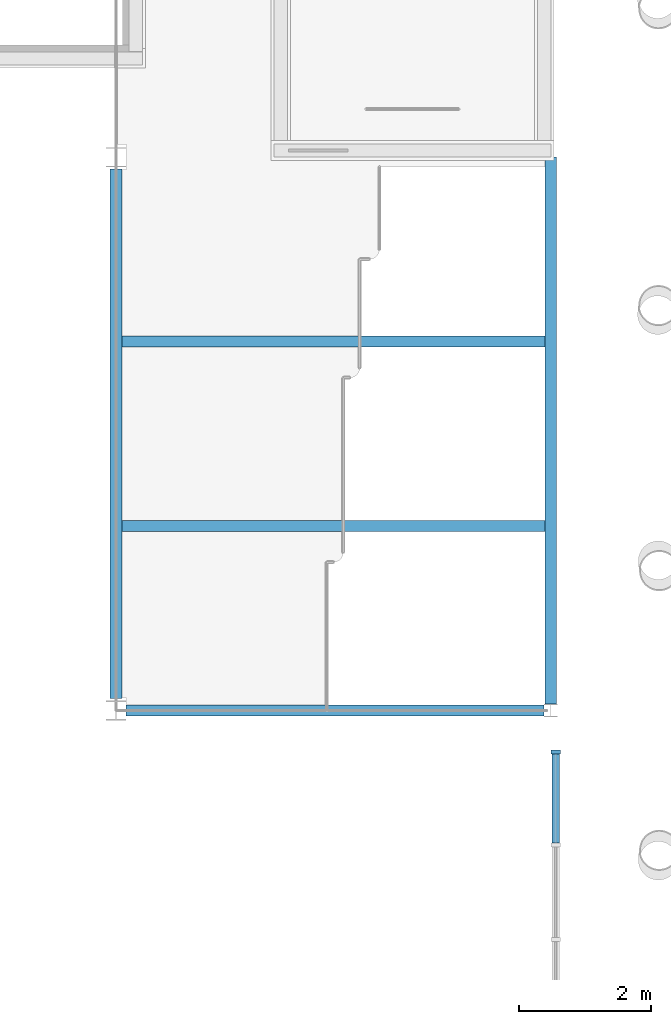
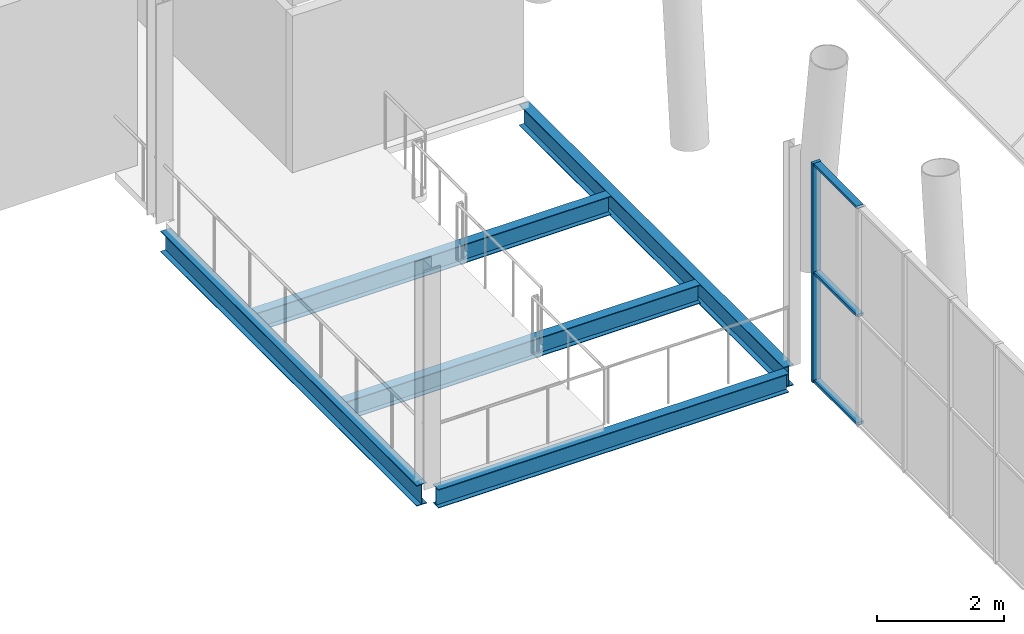
# One storey, part 30 of 76: 5 beams, 4 members, 1 element without a shape of its own.
"""IFC4 building model written with IfcOpenShell, lengths in metres."""

import ifcopenshell
import ifcopenshell.guid

model = None  # the IFC model being written
_history = None  # IfcOwnerHistory: only IFC2X3 demands one
_inside = {}  # id of a spatial element -> (the spatial element, [elements in it])
_under = {}  # id of a project, library or spatial element -> (it, [spatial elements below it])
_declared = {}  # id of a project -> (the project, [libraries it declares])
_typed = {}  # id of a type object -> (the type object, [elements of that type])
_made_of = {}  # id of a material, layer set ... -> (it, [elements and type objects made of it])


def new_model(schema):
    """Start an empty IFC model of exactly this schema.

    Asked for "IFC4X3", IfcOpenShell would pick the latest addendum, in which some entities
    have other attributes; the version numbers below select the first issue.
    IFC2X3 requires an IfcOwnerHistory on every rooted entity: one is made here for all.
    """
    global model, _history
    if schema == "IFC4X3":
        model = ifcopenshell.file(schema_version=(4, 3, 0, 0))
    else:
        model = ifcopenshell.file(schema=schema)
    _inside.clear()
    _under.clear()
    _declared.clear()
    _typed.clear()
    _made_of.clear()
    _history = None
    if model.schema == "IFC2X3":
        org = make("IfcOrganization", Name="unknown")
        user = make(
            "IfcPersonAndOrganization",
            ThePerson=make("IfcPerson", FamilyName="unknown"),
            TheOrganization=org,
        )
        app = make(
            "IfcApplication",
            ApplicationDeveloper=org,
            Version="unknown",
            ApplicationFullName="unknown",
            ApplicationIdentifier="unknown",
        )
        _history = make(
            "IfcOwnerHistory",
            OwningUser=user,
            OwningApplication=app,
            ChangeAction="ADDED",
            CreationDate=0,
        )
    return model


def make(cls, **values):
    """One entity of the class cls with the attributes given. An attribute that is None is left unset."""
    return model.create_entity(
        cls, **{name: value for name, value in values.items() if value is not None}
    )


def rooted(cls, **values):
    """An entity with a GlobalId (a new one), such as an element, a storey or a relation."""
    return make(cls, GlobalId=ifcopenshell.guid.new(), OwnerHistory=_history, **values)


def si_unit(unit_type, name, prefix=None):
    """IfcSIUnit, for example si_unit("LENGTHUNIT", "METRE", prefix="MILLI")."""
    return make("IfcSIUnit", UnitType=unit_type, Prefix=prefix, Name=name)


def assignment(units):
    """IfcUnitAssignment: the units of a project."""
    return None if units is None else make("IfcUnitAssignment", Units=units)


def point(xyz):
    """IfcCartesianPoint."""
    return None if xyz is None else make("IfcCartesianPoint", Coordinates=xyz)


def direction(xyz):
    """IfcDirection."""
    return None if xyz is None else make("IfcDirection", DirectionRatios=xyz)


def frame(location, z_axis=None, x_axis=None):
    """IfcAxis2Placement3D, a coordinate frame: its origin and axes. An axis left out is left unset."""
    return make(
        "IfcAxis2Placement3D",
        Location=point(location),
        Axis=direction(z_axis),
        RefDirection=direction(x_axis),
    )


def frame_2d(location, x_axis=None):
    """IfcAxis2Placement2D, a coordinate frame in the plane: its origin and x axis."""
    return make(
        "IfcAxis2Placement2D", Location=point(location), RefDirection=direction(x_axis)
    )


def origin():
    """The frame at (0, 0, 0) with its axes left unset."""
    return frame((0.0, 0.0, 0.0))


def origin_2d():
    """The frame at (0, 0) in the plane with its x axis left unset."""
    return frame_2d((0.0, 0.0))


def place(relative_to, where):
    """IfcLocalPlacement: puts the frame where relative to a parent placement (None: the world)."""
    return make(
        "IfcLocalPlacement", PlacementRelTo=relative_to, RelativePlacement=where
    )


def context(
    kind, dimensions, precision=None, world=None, true_north=None, identifier=None
):
    """IfcGeometricRepresentationContext, for example the 3D "Model" context."""
    return make(
        "IfcGeometricRepresentationContext",
        ContextIdentifier=identifier,
        ContextType=kind,
        CoordinateSpaceDimension=dimensions,
        Precision=precision,
        WorldCoordinateSystem=world,
        TrueNorth=true_north,
    )


def subcontext(parent, identifier, kind, view, scale=None):
    """IfcGeometricRepresentationSubContext, for example "Body" below "Model"."""
    return make(
        "IfcGeometricRepresentationSubContext",
        ContextIdentifier=identifier,
        ContextType=kind,
        ParentContext=parent,
        TargetScale=scale,
        TargetView=view,
    )


def project(units=None, contexts=None):
    """IfcProject with its units and contexts."""
    return rooted(
        "IfcProject",
        Name="project",
        RepresentationContexts=contexts,
        UnitsInContext=assignment(units),
    )


def spatial(cls, under=None, at=None, **own):
    """A site, building, storey or space (cls), placed at a placement, below another one or the project."""
    s = rooted(cls, ObjectPlacement=at, **own)
    if under is not None:
        _under.setdefault(under.id(), (under, []))[1].append(s)
    return s


def profile(cls, at=None, kind="AREA", **sizes):
    """A parametric profile (cls). Its sizes go by their IFC names, for example OverallWidth=200.0."""
    return make(cls, ProfileType=kind, Position=at, **sizes)


def rectangle(**sizes):
    """IfcRectangleProfileDef."""
    return profile("IfcRectangleProfileDef", **sizes)


def i_section(**sizes):
    """IfcIShapeProfileDef."""
    return profile("IfcIShapeProfileDef", **sizes)


def extrude(swept, where, along, depth):
    """IfcExtrudedAreaSolid: the profile swept, set in the frame where, extruded along a direction by depth."""
    return make(
        "IfcExtrudedAreaSolid",
        SweptArea=swept,
        Position=where,
        ExtrudedDirection=direction(along),
        Depth=depth,
    )


def shape(context_of_items, identifier, shape_type, items):
    """IfcShapeRepresentation: the items that make up one representation, for example the "Body"."""
    return make(
        "IfcShapeRepresentation",
        ContextOfItems=context_of_items,
        RepresentationIdentifier=identifier,
        RepresentationType=shape_type,
        Items=items,
    )


def material(Name=None, Category=None):
    """IfcMaterial."""
    return make("IfcMaterial", Name=Name, Category=Category)


def material_profile(
    of_material, cross_section, Name=None, Category=None, Priority=None
):
    """IfcMaterialProfile: a cross section and its material."""
    return make(
        "IfcMaterialProfile",
        Name=Name,
        Material=of_material,
        Profile=cross_section,
        Priority=Priority,
        Category=Category,
    )


def profile_set(profiles, Name=None, composite=None):
    """IfcMaterialProfileSet."""
    return make(
        "IfcMaterialProfileSet",
        Name=Name,
        MaterialProfiles=profiles,
        CompositeProfile=composite,
    )


def made_of(thing, what):
    """Note that an element or type object is made of a material, layer set ...; save() writes the relation."""
    if what is not None:
        _made_of.setdefault(what.id(), (what, []))[1].append(thing)
    return thing


def type_object(cls, material=None, **own):
    """A type object (cls), such as IfcWallType, which elements share."""
    return made_of(rooted(cls, **own), material)


def element(
    cls,
    number,
    at=None,
    inside=None,
    cuts=None,
    type_object=None,
    material=None,
    context=None,
    identifier="Body",
    shape_type=None,
    held_by="IfcProductDefinitionShape",
    body=None,
    shapes=None,
    **own,
):
    """One element of the class cls, such as IfcWall. Its Tag is "e" and its number.

    at: its placement. inside: the storey or other place that contains it. cuts: it is an
    opening in that element (IfcRelVoidsElement). A single representation is given by context,
    identifier, shape_type and body (its items); several are given by shapes. held_by: the class
    of the entity that holds the representations. save() writes the other relations.
    """
    e = rooted(cls, Tag="e%d" % number, ObjectPlacement=at, **own)
    if body is not None:
        shapes = [shape(context, identifier, shape_type, body)]
    if shapes is not None:
        e.Representation = make(held_by, Representations=shapes)
    if inside is not None:
        _inside.setdefault(inside.id(), (inside, []))[1].append(e)
    if cuts is not None:
        rooted(
            "IfcRelVoidsElement", RelatingBuildingElement=cuts, RelatedOpeningElement=e
        )
    if type_object is not None:
        _typed.setdefault(type_object.id(), (type_object, []))[1].append(e)
    return made_of(e, material)


def aggregate(whole, parts):
    """IfcRelAggregates: a whole, such as a stair, and the parts it consists of."""
    return rooted("IfcRelAggregates", RelatingObject=whole, RelatedObjects=parts)


def save(model, path):
    """Write the relations noted so far, then the file.

    IfcRelAggregates (storeys below a building ...), IfcRelContainedInSpatialStructure (elements
    in a storey), IfcRelDefinesByType, IfcRelAssociatesMaterial and IfcRelDeclares: one each for
    every whole, place, type object, material and project.
    """
    for whole, parts in _under.values():
        aggregate(whole, parts)
    for where, things in _inside.values():
        rooted(
            "IfcRelContainedInSpatialStructure",
            RelatedElements=things,
            RelatingStructure=where,
        )
    for kind, things in _typed.values():
        rooted("IfcRelDefinesByType", RelatedObjects=things, RelatingType=kind)
    for what, things in _made_of.values():
        rooted("IfcRelAssociatesMaterial", RelatedObjects=things, RelatingMaterial=what)
    for by, libraries in _declared.values():
        rooted("IfcRelDeclares", RelatingContext=by, RelatedDefinitions=libraries)
    model.write(path)


model = new_model("IFC4")

# Units and contexts
model_context = context("Model", 3, precision=1e-05, world=origin(), true_north=direction((0.0, 1.0)))
body_context = subcontext(model_context, "Body", "Model", "MODEL_VIEW")
ifc_project = project(units=[si_unit("LENGTHUNIT", "METRE"), si_unit("AREAUNIT", "SQUARE_METRE"), si_unit("VOLUMEUNIT", "CUBIC_METRE"), si_unit("PLANEANGLEUNIT", "RADIAN"), si_unit("MASSUNIT", "GRAM", prefix="KILO")], contexts=[model_context])

# Site, building, storey
site_placement = place(None, origin())
site = spatial("IfcSite", under=ifc_project, at=site_placement, CompositionType="ELEMENT")
building_placement = place(site_placement, origin())
building = spatial("IfcBuilding", under=site, at=building_placement, Name="Sava Quay Ferry Terminal", CompositionType="ELEMENT")
storey_placement = place(building_placement, frame((0.0, 0.0, 10.800048828125)))
storey = spatial("IfcBuildingStorey", under=building, at=storey_placement, Name="L02", CompositionType="ELEMENT", Elevation=10.800048828125)

# Beams
ifc_material_1 = material(Name="Steel S355", Category="steel")
ifc_material_profile_1 = material_profile(ifc_material_1, i_section(OverallWidth=0.169921875, OverallDepth=0.360107421875, WebThickness=0.008056640625, FlangeThickness=0.0126953125, at=origin_2d()), Name="IPE 360")
ifc_profile_set_1 = profile_set([ifc_material_profile_1], Name="Steel S355")
beam_type_1 = type_object("IfcBeamType", Name="Beam IPE 360", PredefinedType="BEAM", material=ifc_profile_set_1)
beam_1_placement = place(storey_placement, frame((75.75, 84.0, -0.31005859375), z_axis=(1.0, 0.0, 0.0), x_axis=(0.0, 1.0, 0.0)))
element("IfcBeam", 1, at=beam_1_placement, inside=storey, type_object=beam_type_1, Name="Beam L02", PredefinedType="BEAM", context=body_context, shape_type="SweptSolid", body=[
    extrude(i_section(OverallWidth=0.169921875, OverallDepth=0.360107421875, WebThickness=0.008056640625, FlangeThickness=0.0126953125, at=origin_2d()), origin(), (0.0, 0.0, 1.0), 6.35009765625),
])
for number, where, z_axis, x_axis, name in (
    (2, (75.68994140625, 86.800048828125, -0.31005859375), (1.0, 0.0, 0.0), (0.0, 1.0, 0.0), "Secondary beam L02"),
    (3, (75.68994140625, 89.60009765625, -0.31005859375), (1.0, 0.0, 0.0), (0.0, 1.0, 0.0), "Secondary beam L02"),
):
    element("IfcBeam", number, at=place(storey_placement, frame(where, z_axis=z_axis, x_axis=x_axis)), inside=storey, type_object=beam_type_1, Name=name, PredefinedType="BEAM", context=body_context, shape_type="SweptSolid", body=[
        extrude(i_section(OverallWidth=0.169921875, OverallDepth=0.360107421875, WebThickness=0.008056640625, FlangeThickness=0.0126953125, at=origin_2d()), origin(), (0.0, 0.0, 1.0), 6.420166015625),
    ])
ifc_material_2 = material(Name="Steel S355", Category="steel")
ifc_material_profile_2 = material_profile(ifc_material_2, i_section(OverallWidth=0.179931640625, OverallDepth=0.39990234375, WebThickness=0.008544921875, FlangeThickness=0.013427734375, at=origin_2d()), Name="IPE 400")
ifc_profile_set_2 = profile_set([ifc_material_profile_2], Name="Steel S355")
beam_type_2 = type_object("IfcBeamType", Name="Beam IPE 400", PredefinedType="BEAM", material=ifc_profile_set_2)
beam_2_placement = place(storey_placement, frame((75.60009765625, 84.179931640625, -0.330078125), z_axis=(0.0, 1.0, 0.0), x_axis=(-1.0, 0.0, 0.0)))
element("IfcBeam", 4, at=beam_2_placement, inside=storey, type_object=beam_type_2, Name="Girder L02", PredefinedType="BEAM", context=body_context, shape_type="SweptSolid", body=[
    extrude(i_section(OverallWidth=0.179931640625, OverallDepth=0.39990234375, WebThickness=0.008544921875, FlangeThickness=0.013427734375, at=origin_2d()), origin(), (0.0, 0.0, 1.0), 8.0400390625),
])
beam_3_placement = place(storey_placement, frame((82.199951171875, 84.10009765625, -0.330078125), z_axis=(0.0, 1.0, 0.0), x_axis=(-1.0, 0.0, 0.0)))
element("IfcBeam", 5, at=beam_3_placement, inside=storey, type_object=beam_type_2, Name="Girder L02", PredefinedType="BEAM", context=body_context, shape_type="SweptSolid", body=[
    extrude(i_section(OverallWidth=0.179931640625, OverallDepth=0.39990234375, WebThickness=0.008544921875, FlangeThickness=0.013427734375, at=origin_2d()), origin(), (0.0, 0.0, 1.0), 8.2998046875),
])

# Curtain wall, members
ifc_material_3 = material(Name="Aluminium and glass curtain wall, double low-e glazed", Category="aluminium")
curtain_wall_type = type_object("IfcCurtainWallType", Name="Curtain wall CW-F flank", PredefinedType="NOTDEFINED", material=ifc_material_3)
curtain_wall_placement = place(storey_placement, origin())
curtain_wall = element("IfcCurtainWall", 6, at=curtain_wall_placement, inside=storey, type_object=curtain_wall_type, Name="Curtain wall D-E L02 bay 4", PredefinedType="NOTDEFINED")
ifc_material_4 = material(Name="Aluminium EN AW-6063 T6", Category="aluminium")
ifc_material_profile_3 = material_profile(ifc_material_4, rectangle(XDim=0.14990234375, YDim=0.06005859375, at=origin_2d()), Name="Mullion 60x150 aluminium")
ifc_profile_set_3 = profile_set([ifc_material_profile_3], Name="Aluminium EN AW-6063 T6")
member_type_1 = type_object("IfcMemberType", Name="Mullion 60x150 aluminium", PredefinedType="MULLION", material=ifc_profile_set_3)
member_1_placement = place(storey_placement, frame((82.27490234375, 83.3701171875, 0.0), z_axis=(0.0, 0.0, 1.0), x_axis=(-1.0, 0.0, 0.0)))
member_1 = element("IfcMember", 7, at=member_1_placement, type_object=member_type_1, Name="CW49 mullion 6", PredefinedType="MULLION", context=body_context, shape_type="SweptSolid", body=[
    extrude(rectangle(XDim=0.14990234375, YDim=0.06005859375, at=origin_2d()), origin(), (0.0, 0.0, 1.0), 4.199951171875),
])
ifc_material_5 = material(Name="Aluminium EN AW-6063 T6", Category="aluminium")
ifc_material_profile_4 = material_profile(ifc_material_5, rectangle(XDim=0.1201171875, YDim=0.050048828125, at=origin_2d()), Name="Transom 50x120 aluminium")
ifc_profile_set_4 = profile_set([ifc_material_profile_4], Name="Aluminium EN AW-6063 T6")
member_type_2 = type_object("IfcMemberType", Name="Transom 50x120 aluminium", PredefinedType="USERDEFINED", material=ifc_profile_set_4)
member_2_placement = place(storey_placement, frame((82.27490234375, 81.989990234375, 0.02490234375), z_axis=(0.0, 1.0, 0.0), x_axis=(-1.0, 0.0, 0.0)))
member_2 = element("IfcMember", 8, at=member_2_placement, type_object=member_type_2, Name="CW49 transom 5.1", ObjectType="TRANSOM", PredefinedType="USERDEFINED", context=body_context, shape_type="SweptSolid", body=[
    extrude(rectangle(XDim=0.1201171875, YDim=0.050048828125, at=origin_2d()), origin(), (0.0, 0.0, 1.0), 1.35009765625),
])
member_3_placement = place(storey_placement, frame((82.27490234375, 81.989990234375, 2.099853515625), z_axis=(0.0, 1.0, 0.0), x_axis=(-1.0, 0.0, 0.0)))
member_3 = element("IfcMember", 9, at=member_3_placement, type_object=member_type_2, Name="CW49 transom 5.2", ObjectType="TRANSOM", PredefinedType="USERDEFINED", context=body_context, shape_type="SweptSolid", body=[
    extrude(rectangle(XDim=0.1201171875, YDim=0.050048828125, at=origin_2d()), origin(), (0.0, 0.0, 1.0), 1.35009765625),
])
member_4_placement = place(storey_placement, frame((82.27490234375, 81.989990234375, 4.175048828125), z_axis=(0.0, 1.0, 0.0), x_axis=(-1.0, 0.0, 0.0)))
member_4 = element("IfcMember", 10, at=member_4_placement, type_object=member_type_2, Name="CW49 transom 5.3", ObjectType="TRANSOM", PredefinedType="USERDEFINED", context=body_context, shape_type="SweptSolid", body=[
    extrude(rectangle(XDim=0.1201171875, YDim=0.050048828125, at=origin_2d()), origin(), (0.0, 0.0, 1.0), 1.35009765625),
])
aggregate(curtain_wall, [member_1, member_2, member_3, member_4])

save(model, "model.ifc")
